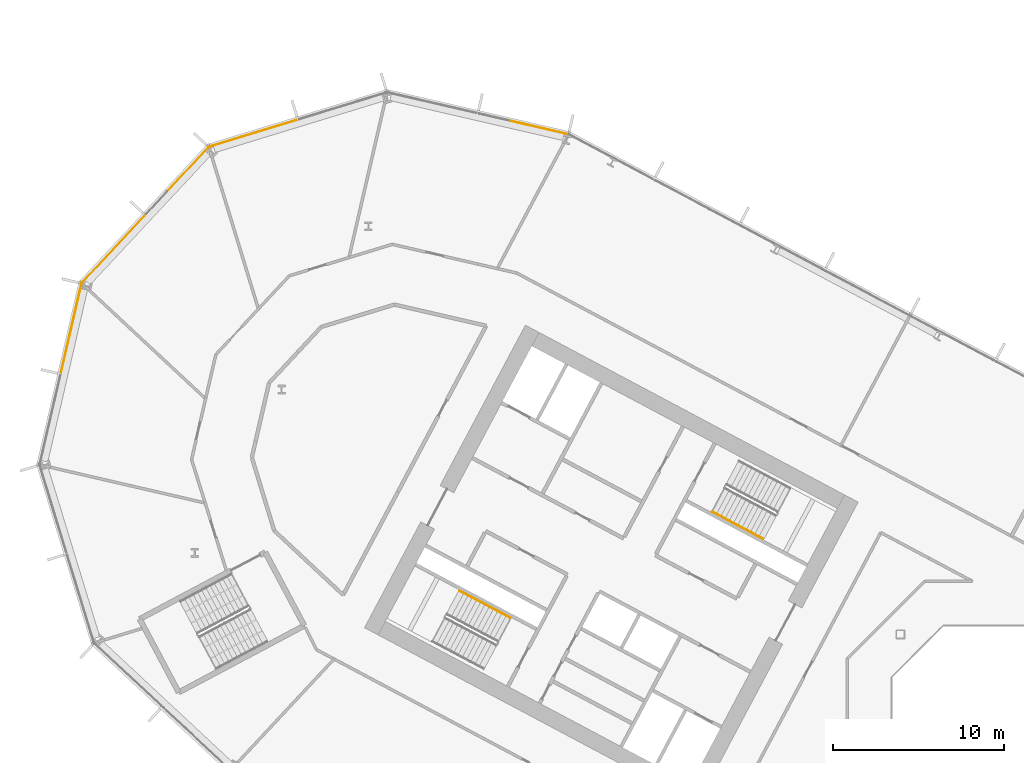
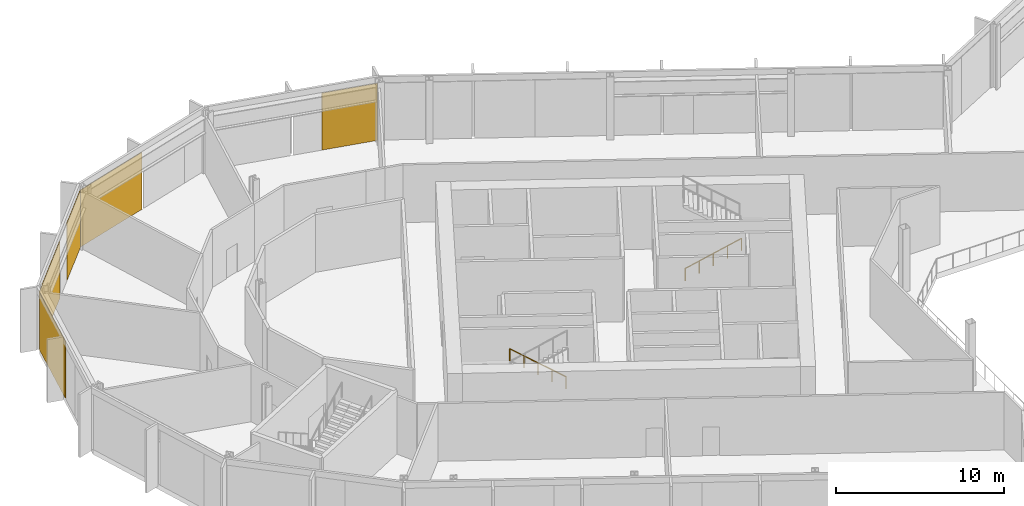
# One storey, part 23 of 30: 5 coverings, 2 railings, 4 elements without a shape of their own.
"""IFC4 building model written with IfcOpenShell, lengths in metres."""

from ifc_helpers import new_model, si_unit, direction, frame, origin, origin_2d, place, context, subcontext, project, spatial, polyline, rectangle, outline, extrude, material, layer, layer_set, type_object, element, aggregate, save


model = new_model("IFC4")

# Units and contexts
model_context = context("Model", 3, precision=1e-05, world=origin(), true_north=direction((0.0, 1.0)))
body_context = subcontext(model_context, "Body", "Model", "MODEL_VIEW")
ifc_project = project(units=[si_unit("LENGTHUNIT", "METRE"), si_unit("AREAUNIT", "SQUARE_METRE"), si_unit("VOLUMEUNIT", "CUBIC_METRE"), si_unit("PLANEANGLEUNIT", "RADIAN"), si_unit("MASSUNIT", "GRAM", prefix="KILO")], contexts=[model_context])

# Site, building, storey
site_placement = place(None, origin())
site = spatial("IfcSite", under=ifc_project, at=site_placement, CompositionType="ELEMENT")
building_placement = place(site_placement, origin())
building = spatial("IfcBuilding", under=site, at=building_placement, Name="Cormorant Relay Tower", CompositionType="ELEMENT")
storey_placement = place(building_placement, frame((0.0, 0.0, 84.60009765625)))
storey = spatial("IfcBuildingStorey", under=building, at=storey_placement, Name="L16", CompositionType="ELEMENT", Elevation=84.60009765625)

# Curtain wall, covering
ifc_material_1 = material(Name="Aluminium 6063-T6 anodised bronze", Category="aluminium")
ifc_layer_1 = layer(ifc_material_1, 0.199951171875)
ifc_layer_set_1 = layer_set([ifc_layer_1], Name="CW1 unitised bronze curtain wall with vertical fins")
curtain_wall_type = type_object("IfcCurtainWallType", Name="CW1 unitised bronze curtain wall with vertical fins", PredefinedType="NOTDEFINED", material=ifc_layer_set_1)
curtain_wall_1_placement = place(storey_placement, origin())
curtain_wall_1 = element("IfcCurtainWall", 1, at=curtain_wall_1_placement, inside=storey, type_object=curtain_wall_type, Name="CW1 curtain wall 8", PredefinedType="NOTDEFINED")
ifc_material_2 = material(Name="Pale bronze anodised aluminium insulated panel", Category="aluminium")
ifc_layer_2 = layer(ifc_material_2, 0.0400390625)
ifc_layer_set_2 = layer_set([ifc_layer_2], Name="CW1 pale bronze insulated panel 40")
covering_type = type_object("IfcCoveringType", Name="CW1 pale bronze insulated panel 40", PredefinedType="CLADDING", material=ifc_layer_set_2)
covering_1_placement = place(storey_placement, frame((-31.640380859375, 40.096435546875, 0.0), z_axis=(0.0, 0.0, 1.0), x_axis=(-0.974370064785, 0.224951054344, 0.0)))
covering_1 = element("IfcCovering", 2, at=covering_1_placement, type_object=covering_type, Name="CW1 panel S00", PredefinedType="CLADDING", context=body_context, shape_type="SweptSolid", body=[
    extrude(rectangle(XDim=3.485107421875, YDim=0.0400390625, at=origin_2d()), origin(), (0.0, 0.0, 1.0), 4.14990234375),
])
aggregate(curtain_wall_1, [covering_1])

curtain_wall_2_placement = place(storey_placement, origin())
curtain_wall_2 = element("IfcCurtainWall", 3, at=curtain_wall_2_placement, inside=storey, type_object=curtain_wall_type, Name="CW1 curtain wall 9", PredefinedType="NOTDEFINED")
covering_2_placement = place(storey_placement, frame((-48.3037109375, 39.73779296875, 0.0), z_axis=(0.0, 0.0, 1.0), x_axis=(-0.956304755963, -0.292371704723, 0.0)))
covering_2 = element("IfcCovering", 4, at=covering_2_placement, type_object=covering_type, Name="CW1 panel S02", PredefinedType="CLADDING", context=body_context, shape_type="SweptSolid", body=[
    extrude(rectangle(XDim=5.360107421875, YDim=0.0400390625, at=origin_2d()), origin(), (0.0, 0.0, 1.0), 4.14990234375),
])
aggregate(curtain_wall_2, [covering_2])

# Curtain wall, coverings
curtain_wall_3_placement = place(storey_placement, origin())
curtain_wall_3 = element("IfcCurtainWall", 5, at=curtain_wall_3_placement, inside=storey, type_object=curtain_wall_type, Name="CW1 curtain wall 10", PredefinedType="NOTDEFINED")
covering_3_placement = place(storey_placement, frame((-52.115234375, 37.61962890625, 0.0), z_axis=(0.0, 0.0, 1.0), x_axis=(-0.681998360062, -0.731353701619, 0.0)))
covering_3 = element("IfcCovering", 6, at=covering_3_placement, type_object=covering_type, Name="CW1 panel S00", PredefinedType="CLADDING", context=body_context, shape_type="SweptSolid", body=[
    extrude(rectangle(XDim=3.485107421875, YDim=0.0400390625, at=origin_2d()), origin(), (0.0, 0.0, 1.0), 4.14990234375),
])
covering_4_placement = place(storey_placement, frame((-56.461181640625, 32.958984375, 0.0), z_axis=(0.0, 0.0, 1.0), x_axis=(-0.681998360062, -0.731353701619, 0.0)))
covering_4 = element("IfcCovering", 7, at=covering_4_placement, type_object=covering_type, Name="CW1 panel S02", PredefinedType="CLADDING", context=body_context, shape_type="SweptSolid", body=[
    extrude(rectangle(XDim=5.360107421875, YDim=0.0400390625, at=origin_2d()), origin(), (0.0, 0.0, 1.0), 4.14990234375),
])
aggregate(curtain_wall_3, [covering_3, covering_4])

# Curtain wall, covering
curtain_wall_4_placement = place(storey_placement, origin())
curtain_wall_4 = element("IfcCurtainWall", 8, at=curtain_wall_4_placement, inside=storey, type_object=curtain_wall_type, Name="CW1 curtain wall 11", PredefinedType="NOTDEFINED")
covering_5_placement = place(storey_placement, frame((-58.905517578125, 28.341796875, 0.0), z_axis=(0.0, 0.0, 1.0), x_axis=(-0.224951054344, -0.974370064785, 0.0)))
covering_5 = element("IfcCovering", 9, at=covering_5_placement, type_object=covering_type, Name="CW1 panel S00", PredefinedType="CLADDING", context=body_context, shape_type="SweptSolid", body=[
    extrude(rectangle(XDim=5.28515625, YDim=0.0400390625, at=origin_2d()), origin(), (0.0, 0.0, 1.0), 4.14990234375),
])
aggregate(curtain_wall_4, [covering_5])

# Railings
ifc_material_3 = material(Name="Steel ASTM A572 Grade 50 (Fy 345 MPa)", Category="steel")
railing_type = type_object("IfcRailingType", Name="Stair handrail 900", PredefinedType="HANDRAIL", material=ifc_material_3)
railing_1_placement = place(storey_placement, frame((-21.478271484375, 17.6494140625, 0.1767578125)))
element("IfcRailing", 10, at=railing_1_placement, inside=storey, type_object=railing_type, Name="L16 A1 stair handrail 1", PredefinedType="HANDRAIL", context=body_context, shape_type="SweptSolid", body=[
    extrude(outline(polyline([(0.022216796875, 0.00927734375), (0.00927734375, 0.022216796875), (-0.00927734375, 0.022216796875), (-0.022216796875, 0.00927734375), (-0.022216796875, -0.00927734375), (-0.00927734375, -0.022216796875), (0.00927734375, -0.022216796875), (0.022216796875, -0.00927734375), (0.022216796875, 0.00927734375)])), frame((0.0, 0.0, 0.8759765625), z_axis=(0.746422470992, -0.396920836698, 0.534141689248), x_axis=(0.469509342547, 0.882927503967, 0.0)), (0.0, 0.0, 1.0), 3.974609375),
    extrude(outline(polyline([(0.019287109375, 0.008056640625), (0.008056640625, 0.019287109375), (-0.008056640625, 0.019287109375), (-0.019287109375, 0.008056640625), (-0.019287109375, -0.008056640625), (-0.008056640625, -0.019287109375), (0.008056640625, -0.019287109375), (0.019287109375, -0.008056640625), (0.019287109375, 0.008056640625)])), origin(), (0.0, 0.0, 1.0), 0.851806640625),
    extrude(outline(polyline([(0.019287109375, 0.008056640625), (0.008056640625, 0.019287109375), (-0.008056640625, 0.019287109375), (-0.019287109375, 0.008056640625), (-0.019287109375, -0.008056640625), (-0.008056640625, -0.019287109375), (0.008056640625, -0.019287109375), (0.019287109375, -0.008056640625), (0.019287109375, 0.008056640625)])), frame((0.74169921875, -0.39453125, 0.53076171875)), (0.0, 0.0, 1.0), 0.851806640625),
    extrude(outline(polyline([(0.019287109375, 0.008056640625), (0.008056640625, 0.019287109375), (-0.008056640625, 0.019287109375), (-0.019287109375, 0.008056640625), (-0.019287109375, -0.008056640625), (-0.008056640625, -0.019287109375), (0.008056640625, -0.019287109375), (0.019287109375, -0.008056640625), (0.019287109375, 0.008056640625)])), frame((1.4833984375, -0.788818359375, 1.0615234375)), (0.0, 0.0, 1.0), 0.851806640625),
    extrude(outline(polyline([(0.019287109375, 0.008056640625), (0.008056640625, 0.019287109375), (-0.008056640625, 0.019287109375), (-0.019287109375, 0.008056640625), (-0.019287109375, -0.008056640625), (-0.008056640625, -0.019287109375), (0.008056640625, -0.019287109375), (0.019287109375, -0.008056640625), (0.019287109375, 0.008056640625)])), frame((2.22509765625, -1.18310546875, 1.59228515625)), (0.0, 0.0, 1.0), 0.851806640625),
    extrude(outline(polyline([(0.019287109375, 0.008056640625), (0.008056640625, 0.019287109375), (-0.008056640625, 0.019287109375), (-0.019287109375, 0.008056640625), (-0.019287109375, -0.008056640625), (-0.008056640625, -0.019287109375), (0.008056640625, -0.019287109375), (0.019287109375, -0.008056640625), (0.019287109375, 0.008056640625)])), frame((2.966796875, -1.57763671875, 2.123046875)), (0.0, 0.0, 1.0), 0.851806640625),
])
railing_2_placement = place(storey_placement, frame((-33.264404296875, 11.4580078125, 0.1767578125)))
element("IfcRailing", 11, at=railing_2_placement, inside=storey, type_object=railing_type, Name="L16 A2 stair handrail 1", PredefinedType="HANDRAIL", context=body_context, shape_type="SweptSolid", body=[
    extrude(outline(polyline([(0.022216796875, 0.00927734375), (0.00927734375, 0.022216796875), (-0.00927734375, 0.022216796875), (-0.022216796875, 0.00927734375), (-0.022216796875, -0.00927734375), (-0.00927734375, -0.022216796875), (0.00927734375, -0.022216796875), (0.022216796875, -0.00927734375), (0.022216796875, 0.00927734375)])), frame((0.0, 0.0, 0.8759765625), z_axis=(-0.746440668329, 0.396869088057, 0.534154711306), x_axis=(-0.46945269911, -0.882957622595, 0.0)), (0.0, 0.0, 1.0), 3.974609375),
    extrude(outline(polyline([(0.019287109375, 0.008056640625), (0.008056640625, 0.019287109375), (-0.008056640625, 0.019287109375), (-0.019287109375, 0.008056640625), (-0.019287109375, -0.008056640625), (-0.008056640625, -0.019287109375), (0.008056640625, -0.019287109375), (0.019287109375, -0.008056640625), (0.019287109375, 0.008056640625)])), origin(), (0.0, 0.0, 1.0), 0.851806640625),
    extrude(outline(polyline([(0.019287109375, 0.008056640625), (0.008056640625, 0.019287109375), (-0.008056640625, 0.019287109375), (-0.019287109375, 0.008056640625), (-0.019287109375, -0.008056640625), (-0.008056640625, -0.019287109375), (0.008056640625, -0.019287109375), (0.019287109375, -0.008056640625), (0.019287109375, 0.008056640625)])), frame((-0.74169921875, 0.394287109375, 0.53076171875)), (0.0, 0.0, 1.0), 0.851806640625),
    extrude(outline(polyline([(0.019287109375, 0.008056640625), (0.008056640625, 0.019287109375), (-0.008056640625, 0.019287109375), (-0.019287109375, 0.008056640625), (-0.019287109375, -0.008056640625), (-0.008056640625, -0.019287109375), (0.008056640625, -0.019287109375), (0.019287109375, -0.008056640625), (0.019287109375, 0.008056640625)])), frame((-1.4833984375, 0.78857421875, 1.0615234375)), (0.0, 0.0, 1.0), 0.851806640625),
    extrude(outline(polyline([(0.019287109375, 0.008056640625), (0.008056640625, 0.019287109375), (-0.008056640625, 0.019287109375), (-0.019287109375, 0.008056640625), (-0.019287109375, -0.008056640625), (-0.008056640625, -0.019287109375), (0.008056640625, -0.019287109375), (0.019287109375, -0.008056640625), (0.019287109375, 0.008056640625)])), frame((-2.22509765625, 1.18310546875, 1.59228515625)), (0.0, 0.0, 1.0), 0.851806640625),
    extrude(outline(polyline([(0.019287109375, 0.008056640625), (0.008056640625, 0.019287109375), (-0.008056640625, 0.019287109375), (-0.019287109375, 0.008056640625), (-0.019287109375, -0.008056640625), (-0.008056640625, -0.019287109375), (0.008056640625, -0.019287109375), (0.019287109375, -0.008056640625), (0.019287109375, 0.008056640625)])), frame((-2.966796875, 1.577392578125, 2.123046875)), (0.0, 0.0, 1.0), 0.851806640625),
])

save(model, "model.ifc")
